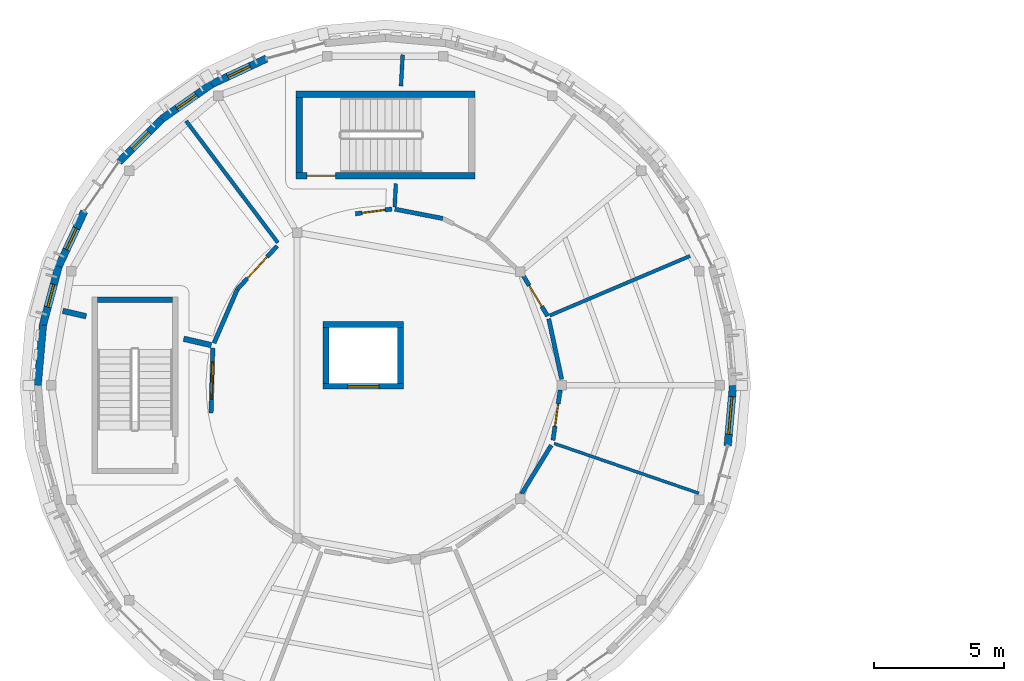
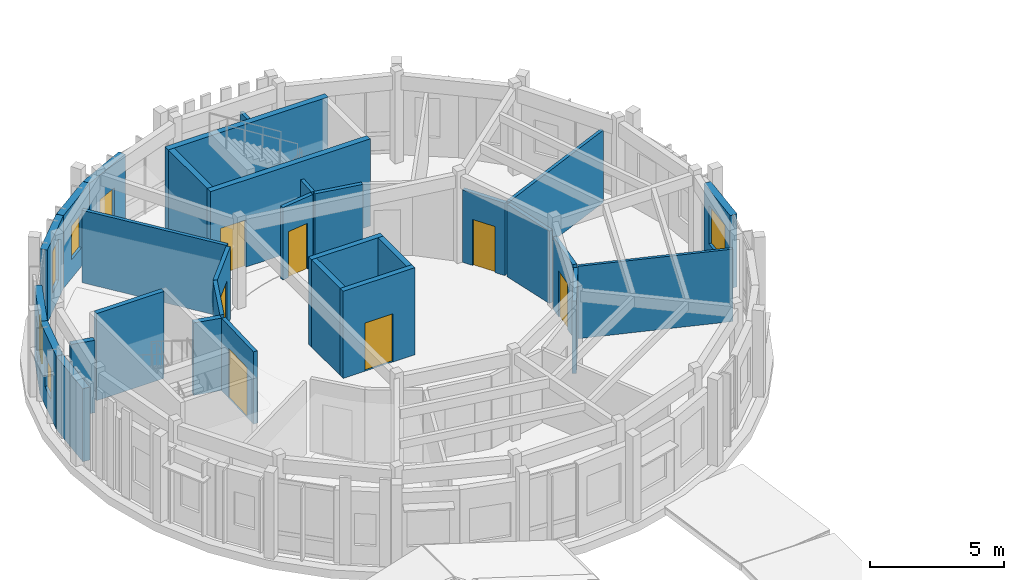
# One storey, part 37 of 58: 31 walls, 7 doors, 6 windows, 13 openings.
"""IFC4 building model written with IfcOpenShell, lengths in metres."""

from ifc_helpers import new_model, si_unit, direction, frame, frame_2d, origin, place, context, subcontext, project, spatial, rectangle, extrude, material, layer, layer_set, type_object, element, fill, save


model = new_model("IFC4")

# Units and contexts
model_context = context("Model", 3, precision=1e-05, world=origin(), true_north=direction((0.0, 1.0)))
body_context = subcontext(model_context, "Body", "Model", "MODEL_VIEW")
ifc_project = project(units=[si_unit("LENGTHUNIT", "METRE"), si_unit("AREAUNIT", "SQUARE_METRE"), si_unit("VOLUMEUNIT", "CUBIC_METRE"), si_unit("PLANEANGLEUNIT", "RADIAN"), si_unit("MASSUNIT", "GRAM", prefix="KILO")], contexts=[model_context])

# Site, building, storey
site_placement = place(None, origin())
site = spatial("IfcSite", under=ifc_project, at=site_placement, CompositionType="ELEMENT")
building_placement = place(site_placement, origin())
building = spatial("IfcBuilding", under=site, at=building_placement, Name="Aldenvaro Health Centre", CompositionType="ELEMENT")
storey_placement = place(building_placement, frame((0.0, 0.0, 8.75)))
storey = spatial("IfcBuildingStorey", under=building, at=storey_placement, Name="L02", CompositionType="ELEMENT", Elevation=8.75)

# Walls
ifc_material_1 = material(Name="Gypsum Stud Acoustic Assembly")
ifc_layer_1 = layer(ifc_material_1, 0.14501953125, Name="Gypsum Stud Acoustic Assembly")
ifc_layer_set_1 = layer_set([ifc_layer_1], Name="Gypsum Stud Acoustic Assembly")
wall_type_1 = type_object("IfcWallType", Name="WL-CLN-145", PredefinedType="PARTITIONING", material=ifc_layer_set_1)
wall_1_placement = place(storey_placement, frame((18.860107421875, 106.3740234375, 0.0), z_axis=(0.0, 0.0, 1.0), x_axis=(0.052244629109, 0.998634316819, 0.0)))
element("IfcWall", 1, at=wall_1_placement, inside=storey, type_object=wall_type_1, Name="D4 L02 clinical partition 1.1", PredefinedType="PARTITIONING", context=body_context, shape_type="SweptSolid", body=[
    extrude(rectangle(XDim=0.897216796875, YDim=0.14501953125, at=frame_2d((0.44873046875, 0.0))), origin(), (0.0, 0.0, 1.0), 3.303955078125),
])
wall_2_placement = place(storey_placement, frame((19.10400390625, 111.030029296875, 0.0), z_axis=(0.0, 0.0, 1.0), x_axis=(0.05279149634, 0.998605556721, 0.0)))
element("IfcWall", 2, at=wall_2_placement, inside=storey, type_object=wall_type_1, Name="D4 L02 clinical partition 1.2", PredefinedType="PARTITIONING", context=body_context, shape_type="SweptSolid", body=[
    extrude(rectangle(XDim=1.211669921875, YDim=0.14501953125, at=frame_2d((0.60595703125, 0.0))), origin(), (0.0, 0.0, 1.0), 3.303955078125),
])
wall_3_placement = place(storey_placement, frame((14.35791015625, 104.9970703125, 0.0), z_axis=(0.0, 0.0, 1.0), x_axis=(-0.601846782462, 0.798611576701, 0.0)))
element("IfcWall", 3, at=wall_3_placement, inside=storey, type_object=wall_type_1, Name="D4 L02 clinical partition 2.1", PredefinedType="PARTITIONING", context=body_context, shape_type="SweptSolid", body=[
    extrude(rectangle(XDim=5.875, YDim=0.14501953125, at=frame_2d((2.9375, 0.0))), origin(), (0.0, 0.0, 1.0), 3.303955078125),
])

# Wall, opening, door
ifc_layer_2 = layer(ifc_material_1, 0.1650390625, Name="Gypsum Stud Acoustic Assembly")
ifc_layer_set_2 = layer_set([ifc_layer_2], Name="Gypsum Stud Acoustic Assembly")
wall_type_2 = type_object("IfcWallType", Name="WL-COR-165", PredefinedType="PARTITIONING", material=ifc_layer_set_2)
wall_4_placement = place(storey_placement, frame((18.7548828125, 106.294921875, 0.0), z_axis=(0.0, 0.0, 1.0), x_axis=(-0.991634012436, -0.129081313054, 0.0)))
wall_4 = element("IfcWall", 4, at=wall_4_placement, inside=storey, type_object=wall_type_2, Name="D4 L02 corridor wall 01.1", PredefinedType="PARTITIONING", context=body_context, shape_type="SweptSolid", body=[
    extrude(rectangle(XDim=1.416748046875, YDim=0.1650390625, at=frame_2d((0.70849609375, 0.0))), origin(), (0.0, 0.0, 1.0), 3.303955078125),
])
opening_1_placement = place(wall_4_placement, frame((0.258056640625, 0.0, 0.0)))
opening_1 = element("IfcOpeningElement", 5, at=opening_1_placement, cuts=wall_4, Name="Opening WD-01", PredefinedType="OPENING", context=body_context, shape_type="SweptSolid", body=[
    extrude(rectangle(XDim=0.89990234375, YDim=2.10009765625, at=frame_2d((0.449951171875, 1.050048828125))), frame((0.0, 0.092529296875, 0.0), z_axis=(0.0, -1.0, 0.0), x_axis=(1.0, 0.0, 0.0)), (0.0, 0.0, 1.0), 0.18505859375),
])
ifc_material_2 = material(Name="Moisture-Resistant Laminate Door")
door_type_1 = type_object("IfcDoorType", Name="DR-WC-01", OperationType="NOTDEFINED", PredefinedType="DOOR", material=ifc_material_2)
door_1_placement = place(opening_1_placement, origin())
door_1 = element("IfcDoor", 6, at=door_1_placement, inside=storey, type_object=door_type_1, Name="Womens Health Consulting Room 301 Door", OperationType="SINGLE_SWING_RIGHT", OverallHeight=2.10009765625, OverallWidth=0.89990234375, PredefinedType="DOOR", context=body_context, shape_type="SweptSolid", body=[
    extrude(rectangle(XDim=0.89990234375, YDim=2.10009765625, at=frame_2d((0.449951171875, 1.050048828125))), frame((0.0, 0.02490234375, 0.0), z_axis=(0.0, -1.0, 0.0), x_axis=(1.0, 0.0, 0.0)), (0.0, 0.0, 1.0), 0.050048828125),
])
fill(opening_1, door_1)

wall_5_placement = place(storey_placement, frame((14.327880859375, 104.868896484375, 0.0), z_axis=(0.0, 0.0, 1.0), x_axis=(-0.676853044356, -0.736118167379, 0.0)))
wall_5 = element("IfcWall", 7, at=wall_5_placement, inside=storey, type_object=wall_type_2, Name="D4 L02 corridor wall 02.1", PredefinedType="PARTITIONING", context=body_context, shape_type="SweptSolid", body=[
    extrude(rectangle(XDim=2.261474609375, YDim=0.1650390625, at=frame_2d((1.130859375, 0.0))), origin(), (0.0, 0.0, 1.0), 3.303955078125),
])
opening_2_placement = place(wall_5_placement, frame((0.56591796875, 0.0, 0.0)))
opening_2 = element("IfcOpeningElement", 8, at=opening_2_placement, cuts=wall_5, Name="Opening D-24", PredefinedType="OPENING", context=body_context, shape_type="SweptSolid", body=[
    extrude(rectangle(XDim=1.1298828125, YDim=2.139892578125, at=frame_2d((0.56494140625, 1.06982421875))), frame((0.0, 0.092529296875, 0.0), z_axis=(0.0, -1.0, 0.0), x_axis=(1.0, 0.0, 0.0)), (0.0, 0.0, 1.0), 0.18505859375),
])
ifc_material_3 = material(Name="Exam Suite Timber Door", Category="wood")
door_type_2 = type_object("IfcDoorType", Name="DR-CLN-24", OperationType="NOTDEFINED", PredefinedType="DOOR", material=ifc_material_3)
door_2_placement = place(opening_2_placement, origin())
door_2 = element("IfcDoor", 9, at=door_2_placement, inside=storey, type_object=door_type_2, Name="Womens Health Consulting Room 302 Door", OperationType="SINGLE_SWING_LEFT", OverallHeight=2.139892578125, OverallWidth=1.1298828125, PredefinedType="DOOR", context=body_context, shape_type="SweptSolid", body=[
    extrude(rectangle(XDim=1.1298828125, YDim=2.139892578125, at=frame_2d((0.56494140625, 1.06982421875))), frame((0.0, 0.02490234375, 0.0), z_axis=(0.0, -1.0, 0.0), x_axis=(1.0, 0.0, 0.0)), (0.0, 0.0, 1.0), 0.050048828125),
])
fill(opening_2, door_2)

# Wall
wall_6_placement = place(storey_placement, frame((12.797119140625, 103.2041015625, 0.0), z_axis=(0.0, 0.0, 1.0), x_axis=(-0.397419678039, -0.917636964985, 0.0)))
element("IfcWall", 10, at=wall_6_placement, inside=storey, type_object=wall_type_2, Name="D4 L02 corridor wall 02.2", PredefinedType="PARTITIONING", context=body_context, shape_type="SweptSolid", body=[
    extrude(rectangle(XDim=2.262451171875, YDim=0.1650390625, at=frame_2d((1.13134765625, 0.0))), origin(), (0.0, 0.0, 1.0), 3.303955078125),
])

# Wall, opening, door
wall_7_placement = place(storey_placement, frame((11.85205078125, 100.930908203125, 0.0), z_axis=(0.0, 0.0, 1.0), x_axis=(-0.027291914499, -0.999627506326, 0.0)))
wall_7 = element("IfcWall", 11, at=wall_7_placement, inside=storey, type_object=wall_type_2, Name="D4 L02 corridor wall 03.1", PredefinedType="PARTITIONING", context=body_context, shape_type="SweptSolid", body=[
    extrude(rectangle(XDim=2.495849609375, YDim=0.1650390625, at=frame_2d((1.248046875, 0.0))), origin(), (0.0, 0.0, 1.0), 3.303955078125),
])
opening_3_placement = place(wall_7_placement, frame((0.52294921875, 0.0, 0.0)))
opening_3 = element("IfcOpeningElement", 12, at=opening_3_placement, cuts=wall_7, Name="Opening XD-01", PredefinedType="OPENING", context=body_context, shape_type="SweptSolid", body=[
    extrude(rectangle(XDim=1.449951171875, YDim=2.280029296875, at=frame_2d((0.72509765625, 1.14013671875))), frame((0.0, 0.092529296875, 0.0), z_axis=(0.0, -1.0, 0.0), x_axis=(1.0, 0.0, 0.0)), (0.0, 0.0, 1.0), 0.18505859375),
])
ifc_material_4 = material(Name="Lead-Lined Shielded Imaging Door")
door_type_3 = type_object("IfcDoorType", Name="DR-IMG-145", OperationType="NOTDEFINED", PredefinedType="DOOR", material=ifc_material_4)
door_3_placement = place(opening_3_placement, origin())
door_3 = element("IfcDoor", 13, at=door_3_placement, inside=storey, type_object=door_type_3, Name="Prenatal Ultrasound Room Door", OperationType="SINGLE_SWING_RIGHT", OverallHeight=2.280029296875, OverallWidth=1.449951171875, PredefinedType="DOOR", context=body_context, shape_type="SweptSolid", body=[
    extrude(rectangle(XDim=1.449951171875, YDim=2.280029296875, at=frame_2d((0.72509765625, 1.14013671875))), frame((0.0, 0.02490234375, 0.0), z_axis=(0.0, -1.0, 0.0), x_axis=(1.0, 0.0, 0.0)), (0.0, 0.0, 1.0), 0.050048828125),
])
fill(opening_3, door_3)

# Wall
wall_8_placement = place(storey_placement, frame((23.748046875, 95.31201171875, 0.0), z_axis=(0.0, 0.0, 1.0), x_axis=(0.521360305461, 0.853336646283, 0.0)))
element("IfcWall", 14, at=wall_8_placement, inside=storey, type_object=wall_type_2, Name="D4 L02 corridor wall 06.2", PredefinedType="PARTITIONING", context=body_context, shape_type="SweptSolid", body=[
    extrude(rectangle(XDim=2.201904296875, YDim=0.1650390625, at=frame_2d((1.10107421875, 0.0))), origin(), (0.0, 0.0, 1.0), 3.303955078125),
])

# Wall, opening, door
wall_9_placement = place(storey_placement, frame((24.9619140625, 97.382080078125, 0.0), z_axis=(0.0, 0.0, 1.0), x_axis=(0.140288499372, 0.990110669039, 0.0)))
wall_9 = element("IfcWall", 15, at=wall_9_placement, inside=storey, type_object=wall_type_2, Name="D4 L02 corridor wall 07.1", PredefinedType="PARTITIONING", context=body_context, shape_type="SweptSolid", body=[
    extrude(rectangle(XDim=1.961181640625, YDim=0.1650390625, at=frame_2d((0.98046875, 0.0))), origin(), (0.0, 0.0, 1.0), 3.303955078125),
])
opening_4_placement = place(wall_9_placement, frame((0.541015625, 0.0, 0.0)))
opening_4 = element("IfcOpeningElement", 16, at=opening_4_placement, cuts=wall_9, Name="Opening UD-01", PredefinedType="OPENING", context=body_context, shape_type="SweptSolid", body=[
    extrude(rectangle(XDim=0.8798828125, YDim=2.10009765625, at=frame_2d((0.43994140625, 1.050048828125))), frame((0.0, 0.092529296875, 0.0), z_axis=(0.0, -1.0, 0.0), x_axis=(1.0, 0.0, 0.0)), (0.0, 0.0, 1.0), 0.18505859375),
])
ifc_material_5 = material(Name="Clean Supply Store Door")
door_type_4 = type_object("IfcDoorType", Name="DR-STR-01", OperationType="NOTDEFINED", PredefinedType="DOOR", material=ifc_material_5)
door_4_placement = place(opening_4_placement, origin())
door_4 = element("IfcDoor", 17, at=door_4_placement, inside=storey, type_object=door_type_4, Name="Clean Supply Room Door", OperationType="SINGLE_SWING_RIGHT", OverallHeight=2.10009765625, OverallWidth=0.8798828125, PredefinedType="DOOR", context=body_context, shape_type="SweptSolid", body=[
    extrude(rectangle(XDim=0.8798828125, YDim=2.10009765625, at=frame_2d((0.43994140625, 1.050048828125))), frame((0.0, 0.02490234375, 0.0), z_axis=(0.0, -1.0, 0.0), x_axis=(1.0, 0.0, 0.0)), (0.0, 0.0, 1.0), 0.050048828125),
])
fill(opening_4, door_4)

# Wall
wall_10_placement = place(storey_placement, frame((25.2958984375, 99.737060546875, 0.0), z_axis=(0.0, 0.0, 1.0), x_axis=(-0.209199758456, 0.977872926848, 0.0)))
element("IfcWall", 18, at=wall_10_placement, inside=storey, type_object=wall_type_2, Name="D4 L02 corridor wall 07.2", PredefinedType="PARTITIONING", context=body_context, shape_type="SweptSolid", body=[
    extrude(rectangle(XDim=2.379638671875, YDim=0.1650390625, at=frame_2d((1.18994140625, 0.0))), origin(), (0.0, 0.0, 1.0), 3.303955078125),
])

# Wall, opening, door
wall_11_placement = place(storey_placement, frame((24.756103515625, 102.166015625, 0.0), z_axis=(0.0, 0.0, 1.0), x_axis=(-0.515979321691, 0.85660103875, 0.0)))
wall_11 = element("IfcWall", 19, at=wall_11_placement, inside=storey, type_object=wall_type_2, Name="D4 L02 corridor wall 08.1", PredefinedType="PARTITIONING", context=body_context, shape_type="SweptSolid", body=[
    extrude(rectangle(XDim=1.814208984375, YDim=0.1650390625, at=frame_2d((0.9072265625, 0.0))), origin(), (0.0, 0.0, 1.0), 3.303955078125),
])
opening_5_placement = place(wall_11_placement, frame((0.43701171875, 0.0, 0.0)))
opening_5 = element("IfcOpeningElement", 20, at=opening_5_placement, cuts=wall_11, Name="Opening WD-02", PredefinedType="OPENING", context=body_context, shape_type="SweptSolid", body=[
    extrude(rectangle(XDim=0.93994140625, YDim=2.10009765625, at=frame_2d((0.469970703125, 1.050048828125))), frame((0.0, 0.092529296875, 0.0), z_axis=(0.0, -1.0, 0.0), x_axis=(1.0, 0.0, 0.0)), (0.0, 0.0, 1.0), 0.18505859375),
])
ifc_material_6 = material(Name="Accessible Sanitary Laminate Door")
door_type_5 = type_object("IfcDoorType", Name="DR-WC-02", OperationType="NOTDEFINED", PredefinedType="DOOR", material=ifc_material_6)
door_5_placement = place(opening_5_placement, origin())
door_5 = element("IfcDoor", 21, at=door_5_placement, inside=storey, type_object=door_type_5, Name="Male Visitor WC Door", OperationType="SINGLE_SWING_LEFT", OverallHeight=2.10009765625, OverallWidth=0.93994140625, PredefinedType="DOOR", context=body_context, shape_type="SweptSolid", body=[
    extrude(rectangle(XDim=0.93994140625, YDim=2.10009765625, at=frame_2d((0.469970703125, 1.050048828125))), frame((0.0, 0.02490234375, 0.0), z_axis=(0.0, -1.0, 0.0), x_axis=(1.0, 0.0, 0.0)), (0.0, 0.0, 1.0), 0.050048828125),
])
fill(opening_5, door_5)

# Wall
wall_12_placement = place(storey_placement, frame((20.714111328125, 105.929931640625, 0.0), z_axis=(0.0, 0.0, 1.0), x_axis=(-0.981560041322, 0.191154087794, 0.0)))
element("IfcWall", 22, at=wall_12_placement, inside=storey, type_object=wall_type_2, Name="D4 L02 corridor wall 09.2", PredefinedType="PARTITIONING", context=body_context, shape_type="SweptSolid", body=[
    extrude(rectangle(XDim=1.8837890625, YDim=0.1650390625, at=frame_2d((0.94189453125, 0.0))), origin(), (0.0, 0.0, 1.0), 3.303955078125),
])

# Wall, opening, window
ifc_material_7 = material(Name="Cross-laminated timber CLT E1", Category="wood")
ifc_layer_3 = layer(ifc_material_7, 0.2900390625, Name="Cross-laminated timber CLT E1", Category="wood")
ifc_layer_set_3 = layer_set([ifc_layer_3], Name="Cross-laminated timber CLT E1")
wall_type_3 = type_object("IfcWallType", Name="WL-EXT-290", PredefinedType="ELEMENTEDWALL", material=ifc_layer_set_3)
wall_13_placement = place(storey_placement, frame((31.89990234375, 99.5, 0.0), z_axis=(0.0, 0.0, 1.0), x_axis=(-0.087274565792, -0.996184295282, 0.0)))
wall_13 = element("IfcWall", 23, at=wall_13_placement, inside=storey, type_object=wall_type_3, Name="D4 L02 exterior wall 01", PredefinedType="ELEMENTEDWALL", context=body_context, shape_type="SweptSolid", body=[
    extrude(rectangle(XDim=2.3359375, YDim=0.2900390625, at=frame_2d((1.16796875, 0.0))), origin(), (0.0, 0.0, 1.0), 3.3291015625),
])
opening_6_placement = place(wall_13_placement, frame((0.443115234375, 0.0, 0.85009765625)))
opening_6 = element("IfcOpeningElement", 24, at=opening_6_placement, cuts=wall_13, Name="Opening W-60", PredefinedType="OPENING", context=body_context, shape_type="SweptSolid", body=[
    extrude(rectangle(XDim=1.449951171875, YDim=1.75, at=frame_2d((0.72509765625, 0.875))), frame((0.0, 0.155029296875, 0.0), z_axis=(0.0, -1.0, 0.0), x_axis=(1.0, 0.0, 0.0)), (0.0, 0.0, 1.0), 0.31005859375),
])
ifc_material_8 = material(Name="Thermally Broken Aluminium Low-E Glass", Category="aluminium")
window_type_1 = type_object("IfcWindowType", Name="WN-EXT-60", PartitioningType="SINGLE_PANEL", PredefinedType="WINDOW", material=ifc_material_8)
window_1_placement = place(opening_6_placement, origin())
window_1 = element("IfcWindow", 25, at=window_1_placement, inside=storey, type_object=window_type_1, Name="D4 L02 clinical window 01", OverallHeight=1.75, OverallWidth=1.449951171875, PartitioningType="SINGLE_PANEL", PredefinedType="WINDOW", context=body_context, shape_type="SweptSolid", body=[
    extrude(rectangle(XDim=1.449951171875, YDim=1.75, at=frame_2d((0.72509765625, 0.875))), frame((0.0, 0.030029296875, 0.0), z_axis=(0.0, -1.0, 0.0), x_axis=(1.0, 0.0, 0.0)), (0.0, 0.0, 1.0), 0.06005859375),
])
fill(opening_6, window_1)

# Wall
wall_14_placement = place(storey_placement, frame((5.10009765625, 99.5, 0.0), z_axis=(0.0, 0.0, 1.0), x_axis=(0.087274565792, 0.996184295282, 0.0)))
element("IfcWall", 26, at=wall_14_placement, inside=storey, type_object=wall_type_3, Name="D4 L02 exterior wall 19", PredefinedType="ELEMENTEDWALL", context=body_context, shape_type="SweptSolid", body=[
    extrude(rectangle(XDim=2.3359375, YDim=0.2900390625, at=frame_2d((1.16796875, 0.0))), origin(), (0.0, 0.0, 1.0), 3.3291015625),
])

# Wall, opening, window
wall_15_placement = place(storey_placement, frame((5.303955078125, 101.826904296875, 0.0), z_axis=(0.0, 0.0, 1.0), x_axis=(0.258612423585, 0.965981166673, 0.0)))
wall_15 = element("IfcWall", 27, at=wall_15_placement, inside=storey, type_object=wall_type_3, Name="D4 L02 exterior wall 20", PredefinedType="ELEMENTEDWALL", context=body_context, shape_type="SweptSolid", body=[
    extrude(rectangle(XDim=2.33544921875, YDim=0.2900390625, at=frame_2d((1.167724609375, 0.0))), origin(), (0.0, 0.0, 1.0), 3.3291015625),
])
opening_7_placement = place(wall_15_placement, frame((0.718017578125, 0.0, 0.85009765625)))
opening_7 = element("IfcOpeningElement", 28, at=opening_7_placement, cuts=wall_15, Name="Opening W-05", PredefinedType="OPENING", context=body_context, shape_type="SweptSolid", body=[
    extrude(rectangle(XDim=0.89990234375, YDim=1.39990234375, at=frame_2d((0.449951171875, 0.699951171875))), frame((0.0, 0.155029296875, 0.0), z_axis=(0.0, -1.0, 0.0), x_axis=(1.0, 0.0, 0.0)), (0.0, 0.0, 1.0), 0.31005859375),
])
window_type_2 = type_object("IfcWindowType", Name="WN-EXT-05", PartitioningType="SINGLE_PANEL", PredefinedType="WINDOW", material=ifc_material_8)
window_2_placement = place(opening_7_placement, origin())
window_2 = element("IfcWindow", 29, at=window_2_placement, inside=storey, type_object=window_type_2, Name="D4 L02 clinical window 20", OverallHeight=1.39990234375, OverallWidth=0.89990234375, PartitioningType="SINGLE_PANEL", PredefinedType="WINDOW", context=body_context, shape_type="SweptSolid", body=[
    extrude(rectangle(XDim=0.89990234375, YDim=1.39990234375, at=frame_2d((0.449951171875, 0.699951171875))), frame((0.0, 0.030029296875, 0.0), z_axis=(0.0, -1.0, 0.0), x_axis=(1.0, 0.0, 0.0)), (0.0, 0.0, 1.0), 0.06005859375),
])
fill(opening_7, window_2)

wall_16_placement = place(storey_placement, frame((5.907958984375, 104.0830078125, 0.0), z_axis=(0.0, 0.0, 1.0), x_axis=(0.422587894318, 0.906321946979, 0.0)))
wall_16 = element("IfcWall", 30, at=wall_16_placement, inside=storey, type_object=wall_type_3, Name="D4 L02 exterior wall 21", PredefinedType="ELEMENTEDWALL", context=body_context, shape_type="SweptSolid", body=[
    extrude(rectangle(XDim=2.335693359375, YDim=0.2900390625, at=frame_2d((1.16796875, 0.0))), origin(), (0.0, 0.0, 1.0), 3.3291015625),
])
opening_8_placement = place(wall_16_placement, frame((0.718017578125, 0.0, 0.85009765625)))
opening_8 = element("IfcOpeningElement", 31, at=opening_8_placement, cuts=wall_16, Name="Opening W-06", PredefinedType="OPENING", context=body_context, shape_type="SweptSolid", body=[
    extrude(rectangle(XDim=0.89990234375, YDim=1.64990234375, at=frame_2d((0.449951171875, 0.824951171875))), frame((0.0, 0.155029296875, 0.0), z_axis=(0.0, -1.0, 0.0), x_axis=(1.0, 0.0, 0.0)), (0.0, 0.0, 1.0), 0.31005859375),
])
window_type_3 = type_object("IfcWindowType", Name="WN-EXT-06", PartitioningType="SINGLE_PANEL", PredefinedType="WINDOW", material=ifc_material_8)
window_3_placement = place(opening_8_placement, origin())
window_3 = element("IfcWindow", 32, at=window_3_placement, inside=storey, type_object=window_type_3, Name="D4 L02 clinical window 21", OverallHeight=1.64990234375, OverallWidth=0.89990234375, PartitioningType="SINGLE_PANEL", PredefinedType="WINDOW", context=body_context, shape_type="SweptSolid", body=[
    extrude(rectangle(XDim=0.89990234375, YDim=1.64990234375, at=frame_2d((0.449951171875, 0.824951171875))), frame((0.0, 0.030029296875, 0.0), z_axis=(0.0, -1.0, 0.0), x_axis=(1.0, 0.0, 0.0)), (0.0, 0.0, 1.0), 0.06005859375),
])
fill(opening_8, window_3)

wall_17_placement = place(storey_placement, frame((8.235107421875, 108.113037109375, 0.0), z_axis=(0.0, 0.0, 1.0), x_axis=(0.707106781187, 0.707106781187, 0.0)))
wall_17 = element("IfcWall", 33, at=wall_17_placement, inside=storey, type_object=wall_type_3, Name="D4 L02 exterior wall 23", PredefinedType="ELEMENTEDWALL", context=body_context, shape_type="SweptSolid", body=[
    extrude(rectangle(XDim=2.336181640625, YDim=0.2900390625, at=frame_2d((1.16796875, 0.0))), origin(), (0.0, 0.0, 1.0), 3.3291015625),
])
opening_9_placement = place(wall_17_placement, frame((0.718017578125, 0.0, 0.85009765625)))
opening_9 = element("IfcOpeningElement", 34, at=opening_9_placement, cuts=wall_17, Name="Opening W-07", PredefinedType="OPENING", context=body_context, shape_type="SweptSolid", body=[
    extrude(rectangle(XDim=0.89990234375, YDim=1.89990234375, at=frame_2d((0.449951171875, 0.949951171875))), frame((0.0, 0.155029296875, 0.0), z_axis=(0.0, -1.0, 0.0), x_axis=(1.0, 0.0, 0.0)), (0.0, 0.0, 1.0), 0.31005859375),
])
window_type_4 = type_object("IfcWindowType", Name="WN-EXT-07", PartitioningType="SINGLE_PANEL", PredefinedType="WINDOW", material=ifc_material_8)
window_4_placement = place(opening_9_placement, origin())
window_4 = element("IfcWindow", 35, at=window_4_placement, inside=storey, type_object=window_type_4, Name="D4 L02 clinical window 23", OverallHeight=1.89990234375, OverallWidth=0.89990234375, PartitioningType="SINGLE_PANEL", PredefinedType="WINDOW", context=body_context, shape_type="SweptSolid", body=[
    extrude(rectangle(XDim=0.89990234375, YDim=1.89990234375, at=frame_2d((0.449951171875, 0.949951171875))), frame((0.0, 0.030029296875, 0.0), z_axis=(0.0, -1.0, 0.0), x_axis=(1.0, 0.0, 0.0)), (0.0, 0.0, 1.0), 0.06005859375),
])
fill(opening_9, window_4)

wall_18_placement = place(storey_placement, frame((9.886962890625, 109.764892578125, 0.0), z_axis=(0.0, 0.0, 1.0), x_axis=(0.819045278347, 0.573728883722, 0.0)))
wall_18 = element("IfcWall", 36, at=wall_18_placement, inside=storey, type_object=wall_type_3, Name="D4 L02 exterior wall 24", PredefinedType="ELEMENTEDWALL", context=body_context, shape_type="SweptSolid", body=[
    extrude(rectangle(XDim=2.335693359375, YDim=0.2900390625, at=frame_2d((1.16796875, 0.0))), origin(), (0.0, 0.0, 1.0), 3.3291015625),
])
opening_10_placement = place(wall_18_placement, frame((0.7080078125, 0.0, 0.85009765625)))
opening_10 = element("IfcOpeningElement", 37, at=opening_10_placement, cuts=wall_18, Name="Opening W-08", PredefinedType="OPENING", context=body_context, shape_type="SweptSolid", body=[
    extrude(rectangle(XDim=0.919921875, YDim=1.550048828125, at=frame_2d((0.4599609375, 0.77490234375))), frame((0.0, 0.155029296875, 0.0), z_axis=(0.0, -1.0, 0.0), x_axis=(1.0, 0.0, 0.0)), (0.0, 0.0, 1.0), 0.31005859375),
])
window_type_5 = type_object("IfcWindowType", Name="WN-EXT-08", PartitioningType="SINGLE_PANEL", PredefinedType="WINDOW", material=ifc_material_8)
window_5_placement = place(opening_10_placement, origin())
window_5 = element("IfcWindow", 38, at=window_5_placement, inside=storey, type_object=window_type_5, Name="D4 L02 clinical window 24", OverallHeight=1.550048828125, OverallWidth=0.919921875, PartitioningType="SINGLE_PANEL", PredefinedType="WINDOW", context=body_context, shape_type="SweptSolid", body=[
    extrude(rectangle(XDim=0.919921875, YDim=1.550048828125, at=frame_2d((0.4599609375, 0.77490234375))), frame((0.0, 0.030029296875, 0.0), z_axis=(0.0, -1.0, 0.0), x_axis=(1.0, 0.0, 0.0)), (0.0, 0.0, 1.0), 0.06005859375),
])
fill(opening_10, window_5)

wall_19_placement = place(storey_placement, frame((11.800048828125, 111.10498046875, 0.0), z_axis=(0.0, 0.0, 1.0), x_axis=(0.906321946979, 0.422587894318, 0.0)))
wall_19 = element("IfcWall", 39, at=wall_19_placement, inside=storey, type_object=wall_type_3, Name="D4 L02 exterior wall 25", PredefinedType="ELEMENTEDWALL", context=body_context, shape_type="SweptSolid", body=[
    extrude(rectangle(XDim=2.335693359375, YDim=0.2900390625, at=frame_2d((1.16796875, 0.0))), origin(), (0.0, 0.0, 1.0), 3.3291015625),
])
opening_11_placement = place(wall_19_placement, frame((0.693115234375, 0.0, 0.85009765625)))
opening_11 = element("IfcOpeningElement", 40, at=opening_11_placement, cuts=wall_19, Name="Opening W-09", PredefinedType="OPENING", context=body_context, shape_type="SweptSolid", body=[
    extrude(rectangle(XDim=0.949951171875, YDim=1.35009765625, at=frame_2d((0.47509765625, 0.675048828125))), frame((0.0, 0.155029296875, 0.0), z_axis=(0.0, -1.0, 0.0), x_axis=(1.0, 0.0, 0.0)), (0.0, 0.0, 1.0), 0.31005859375),
])
window_type_6 = type_object("IfcWindowType", Name="WN-EXT-09", PartitioningType="SINGLE_PANEL", PredefinedType="WINDOW", material=ifc_material_8)
window_6_placement = place(opening_11_placement, origin())
window_6 = element("IfcWindow", 41, at=window_6_placement, inside=storey, type_object=window_type_6, Name="D4 L02 clinical window 25", OverallHeight=1.35009765625, OverallWidth=0.949951171875, PartitioningType="SINGLE_PANEL", PredefinedType="WINDOW", context=body_context, shape_type="SweptSolid", body=[
    extrude(rectangle(XDim=0.949951171875, YDim=1.35009765625, at=frame_2d((0.47509765625, 0.675048828125))), frame((0.0, 0.030029296875, 0.0), z_axis=(0.0, -1.0, 0.0), x_axis=(1.0, 0.0, 0.0)), (0.0, 0.0, 1.0), 0.06005859375),
])
fill(opening_11, window_6)

# Walls
ifc_material_9 = material(Name="Concrete f'c 35 MPa", Category="concrete")
ifc_layer_4 = layer(ifc_material_9, 0.215087890625, Name="Concrete f'c 35 MPa", Category="concrete")
ifc_layer_set_4 = layer_set([ifc_layer_4], Name="Concrete f'c 35 MPa")
wall_type_4 = type_object("IfcWallType", Name="WL-IMG-215", PredefinedType="SOLIDWALL", material=ifc_layer_set_4)
wall_20_placement = place(storey_placement, frame((11.79296875, 101.048095703125, 0.0), z_axis=(0.0, 0.0, 1.0), x_axis=(-0.974281711151, 0.225333413672, 0.0)))
element("IfcWall", 42, at=wall_20_placement, inside=storey, type_object=wall_type_4, Name="D4 L02 clinical partition 3.1", PredefinedType="SOLIDWALL", context=body_context, shape_type="SweptSolid", body=[
    extrude(rectangle(XDim=1.091064453125, YDim=0.215087890625, at=frame_2d((0.54541015625, 0.0))), origin(), (0.0, 0.0, 1.0), 3.303955078125),
])
wall_21_placement = place(storey_placement, frame((6.969970703125, 102.162109375, 0.0), z_axis=(0.0, 0.0, 1.0), x_axis=(-0.974364486591, 0.22497521479, 0.0)))
element("IfcWall", 43, at=wall_21_placement, inside=storey, type_object=wall_type_4, Name="D4 L02 clinical partition 3.2", PredefinedType="SOLIDWALL", context=body_context, shape_type="SweptSolid", body=[
    extrude(rectangle(XDim=0.924560546875, YDim=0.215087890625, at=frame_2d((0.46240234375, 0.0))), origin(), (0.0, 0.0, 1.0), 3.303955078125),
])
ifc_material_10 = material(Name="Concrete f'c 40 MPa", Category="concrete")
ifc_layer_5 = layer(ifc_material_10, 0.199951171875, Name="Concrete f'c 40 MPa", Category="concrete")
ifc_layer_set_5 = layer_set([ifc_layer_5], Name="Concrete f'c 40 MPa")
wall_type_5 = type_object("IfcWallType", Name="WL-SHAFT-200", PredefinedType="SHEAR", material=ifc_layer_set_5)
wall_22_placement = place(storey_placement, frame((10.300048828125, 102.800048828125, 0.0), z_axis=(0.0, 0.0, 1.0), x_axis=(-1.0, 0.0, 0.0)))
element("IfcWall", 44, at=wall_22_placement, inside=storey, type_object=wall_type_5, Name="ST-08 L02 side core wall R", PredefinedType="SHEAR", context=body_context, shape_type="SweptSolid", body=[
    extrude(rectangle(XDim=2.900146484375, YDim=0.199951171875, at=frame_2d((1.4501953125, 0.0))), origin(), (0.0, 0.0, 1.0), 3.97509765625),
])

# Wall, opening, door
ifc_layer_6 = layer(ifc_material_10, 0.22509765625, Name="Concrete f'c 40 MPa", Category="concrete")
ifc_layer_set_6 = layer_set([ifc_layer_6], Name="Concrete f'c 40 MPa")
wall_type_6 = type_object("IfcWallType", Name="WL-SHAFT-225", PredefinedType="SHEAR", material=ifc_layer_set_6)
wall_23_placement = place(storey_placement, frame((16.10009765625, 99.462890625, 0.0), z_axis=(0.0, 0.0, 1.0), x_axis=(1.0, 0.0, 0.0)))
wall_23 = element("IfcWall", 45, at=wall_23_placement, inside=storey, type_object=wall_type_6, Name="LF-04 L02 lift shaft front wall", PredefinedType="SHEAR", context=body_context, shape_type="SweptSolid", body=[
    extrude(rectangle(XDim=3.099853515625, YDim=0.22509765625, at=frame_2d((1.5498046875, 0.0))), origin(), (0.0, 0.0, 1.0), 3.97509765625),
])
opening_12_placement = place(wall_23_placement, frame((0.949951171875, 0.0, 0.0)))
opening_12 = element("IfcOpeningElement", 46, at=opening_12_placement, cuts=wall_23, Name="Opening LD-01", PredefinedType="OPENING", context=body_context, shape_type="SweptSolid", body=[
    extrude(rectangle(XDim=1.199951171875, YDim=2.199951171875, at=frame_2d((0.60009765625, 1.10009765625))), frame((0.0, 0.12255859375, 0.0), z_axis=(0.0, -1.0, 0.0), x_axis=(1.0, 0.0, 0.0)), (0.0, 0.0, 1.0), 0.2451171875),
])
ifc_material_11 = material(Name="Stainless Steel Lift Landing Door", Category="steel")
door_type_6 = type_object("IfcDoorType", Name="DR-LIFT-120", OperationType="DOUBLE_DOOR_SLIDING", PredefinedType="DOOR", material=ifc_material_11)
door_6_placement = place(opening_12_placement, origin())
door_6 = element("IfcDoor", 47, at=door_6_placement, inside=storey, type_object=door_type_6, Name="Lift LF-04 L02 Sliding Landing Door", OperationType="DOUBLE_DOOR_SLIDING", OverallHeight=2.199951171875, OverallWidth=1.199951171875, PredefinedType="DOOR", context=body_context, shape_type="SweptSolid", body=[
    extrude(rectangle(XDim=1.199951171875, YDim=2.199951171875, at=frame_2d((0.60009765625, 1.10009765625))), frame((0.0, 0.02490234375, 0.0), z_axis=(0.0, -1.0, 0.0), x_axis=(1.0, 0.0, 0.0)), (0.0, 0.0, 1.0), 0.050048828125),
])
fill(opening_12, door_6)

# Walls
wall_24_placement = place(storey_placement, frame((16.10009765625, 101.837890625, 0.0), z_axis=(0.0, 0.0, 1.0), x_axis=(1.0, 0.0, 0.0)))
element("IfcWall", 48, at=wall_24_placement, inside=storey, type_object=wall_type_6, Name="LF-04 L02 lift shaft rear wall", PredefinedType="SHEAR", context=body_context, shape_type="SweptSolid", body=[
    extrude(rectangle(XDim=3.099853515625, YDim=0.22509765625, at=frame_2d((1.5498046875, 0.0))), origin(), (0.0, 0.0, 1.0), 3.97509765625),
])
for number, where, z_axis, x_axis, name in (
    (49, (16.2119140625, 99.574951171875, 0.0), (0.0, 0.0, 1.0), (0.0, 1.0, 0.0), "LF-04 L02 lift shaft side wall L"),
    (50, (19.0869140625, 99.574951171875, 0.0), (0.0, 0.0, 1.0), (0.0, 1.0, 0.0), "LF-04 L02 lift shaft side wall R"),
):
    element("IfcWall", number, at=place(storey_placement, frame(where, z_axis=z_axis, x_axis=x_axis)), inside=storey, type_object=wall_type_6, Name=name, PredefinedType="SHEAR", context=body_context, shape_type="SweptSolid", body=[
        extrude(rectangle(XDim=2.150146484375, YDim=0.22509765625, at=frame_2d((1.0751953125, 0.0))), origin(), (0.0, 0.0, 1.0), 3.97509765625),
    ])

# Wall, opening, door
ifc_layer_7 = layer(ifc_material_10, 0.25, Name="Concrete f'c 40 MPa", Category="concrete")
ifc_layer_set_7 = layer_set([ifc_layer_7], Name="Concrete f'c 40 MPa")
wall_type_7 = type_object("IfcWallType", Name="WL-SHAFT-250", PredefinedType="SHEAR", material=ifc_layer_set_7)
wall_25_placement = place(storey_placement, frame((15.050048828125, 107.574951171875, 0.0), z_axis=(0.0, 0.0, 1.0), x_axis=(1.0, 0.0, 0.0)))
wall_25 = element("IfcWall", 51, at=wall_25_placement, inside=storey, type_object=wall_type_7, Name="ST-07 L02 inner core wall", PredefinedType="SHEAR", context=body_context, shape_type="SweptSolid", body=[
    extrude(rectangle(XDim=6.89990234375, YDim=0.25, at=frame_2d((3.449951171875, 0.0))), origin(), (0.0, 0.0, 1.0), 3.97509765625),
])
opening_13_placement = place(wall_25_placement, frame((0.429931640625, 0.0, 0.0)))
opening_13 = element("IfcOpeningElement", 52, at=opening_13_placement, cuts=wall_25, Name="Opening FD-01", PredefinedType="OPENING", context=body_context, shape_type="SweptSolid", body=[
    extrude(rectangle(XDim=1.10009765625, YDim=2.14990234375, at=frame_2d((0.550048828125, 1.074951171875))), frame((0.0, 0.135009765625, 0.0), z_axis=(0.0, -1.0, 0.0), x_axis=(1.0, 0.0, 0.0)), (0.0, 0.0, 1.0), 0.27001953125),
])
ifc_material_12 = material(Name="Fire-Rated Steel Door Assembly", Category="steel")
door_type_7 = type_object("IfcDoorType", Name="DR-STAIR-110", OperationType="NOTDEFINED", PredefinedType="DOOR", material=ifc_material_12)
door_7_placement = place(opening_13_placement, origin())
door_7 = element("IfcDoor", 53, at=door_7_placement, inside=storey, type_object=door_type_7, Name="ST-07 L02 fire stair door", OperationType="SINGLE_SWING_RIGHT", OverallHeight=2.14990234375, OverallWidth=1.10009765625, PredefinedType="DOOR", context=body_context, shape_type="SweptSolid", body=[
    extrude(rectangle(XDim=1.10009765625, YDim=2.14990234375, at=frame_2d((0.550048828125, 1.074951171875))), frame((0.0, 0.02490234375, 0.0), z_axis=(0.0, -1.0, 0.0), x_axis=(1.0, 0.0, 0.0)), (0.0, 0.0, 1.0), 0.050048828125),
])
fill(opening_13, door_7)

# Walls
wall_26_placement = place(storey_placement, frame((15.050048828125, 110.72509765625, 0.0), z_axis=(0.0, 0.0, 1.0), x_axis=(1.0, 0.0, 0.0)))
element("IfcWall", 54, at=wall_26_placement, inside=storey, type_object=wall_type_7, Name="ST-07 L02 far core wall", PredefinedType="SHEAR", context=body_context, shape_type="SweptSolid", body=[
    extrude(rectangle(XDim=6.89990234375, YDim=0.25, at=frame_2d((3.449951171875, 0.0))), origin(), (0.0, 0.0, 1.0), 3.97509765625),
])
wall_27_placement = place(storey_placement, frame((15.175048828125, 107.699951171875, 0.0), z_axis=(0.0, 0.0, 1.0), x_axis=(0.0, 1.0, 0.0)))
element("IfcWall", 55, at=wall_27_placement, inside=storey, type_object=wall_type_7, Name="ST-07 L02 side core wall L", PredefinedType="SHEAR", context=body_context, shape_type="SweptSolid", body=[
    extrude(rectangle(XDim=2.900146484375, YDim=0.25, at=frame_2d((1.4501953125, 0.0))), origin(), (0.0, 0.0, 1.0), 3.97509765625),
])
ifc_material_13 = material(Name="Light Gauge Steel Stud Partition", Category="steel")
ifc_layer_8 = layer(ifc_material_13, 0.114990234375, Name="Light Gauge Steel Stud Partition", Category="steel")
ifc_layer_set_8 = layer_set([ifc_layer_8], Name="Light Gauge Steel Stud Partition")
wall_type_8 = type_object("IfcWallType", Name="WL-SUB-115", PredefinedType="PARTITIONING", material=ifc_layer_set_8)
wall_28_placement = place(storey_placement, frame((25.008056640625, 97.259033203125, 0.0), z_axis=(0.0, 0.0, 1.0), x_axis=(0.945537377012, -0.325513546068, 0.0)))
element("IfcWall", 56, at=wall_28_placement, inside=storey, type_object=wall_type_8, Name="D4 L02 clinical partition 7.1", PredefinedType="PARTITIONING", context=body_context, shape_type="SweptSolid", body=[
    extrude(rectangle(XDim=5.898193359375, YDim=0.114990234375, at=frame_2d((2.94921875, 0.0))), origin(), (0.0, 0.0, 1.0), 3.303955078125),
])
ifc_material_14 = material(Name="Moisture-Resistant Plumbing Stud Wall")
ifc_layer_9 = layer(ifc_material_14, 0.135009765625, Name="Moisture-Resistant Plumbing Stud Wall")
ifc_layer_set_9 = layer_set([ifc_layer_9], Name="Moisture-Resistant Plumbing Stud Wall")
wall_type_9 = type_object("IfcWallType", Name="WL-WET-135", PredefinedType="PLUMBINGWALL", material=ifc_layer_set_9)
wall_29_placement = place(storey_placement, frame((24.8359375, 102.18896484375, 0.0), z_axis=(0.0, 0.0, 1.0), x_axis=(0.920468107404, 0.390817685438, 0.0)))
element("IfcWall", 57, at=wall_29_placement, inside=storey, type_object=wall_type_9, Name="D4 L02 clinical partition 8.1", PredefinedType="PLUMBINGWALL", context=body_context, shape_type="SweptSolid", body=[
    extrude(rectangle(XDim=5.875244140625, YDim=0.135009765625, at=frame_2d((2.9375, 0.0))), origin(), (0.0, 0.0, 1.0), 3.303955078125),
])

save(model, "model.ifc")
